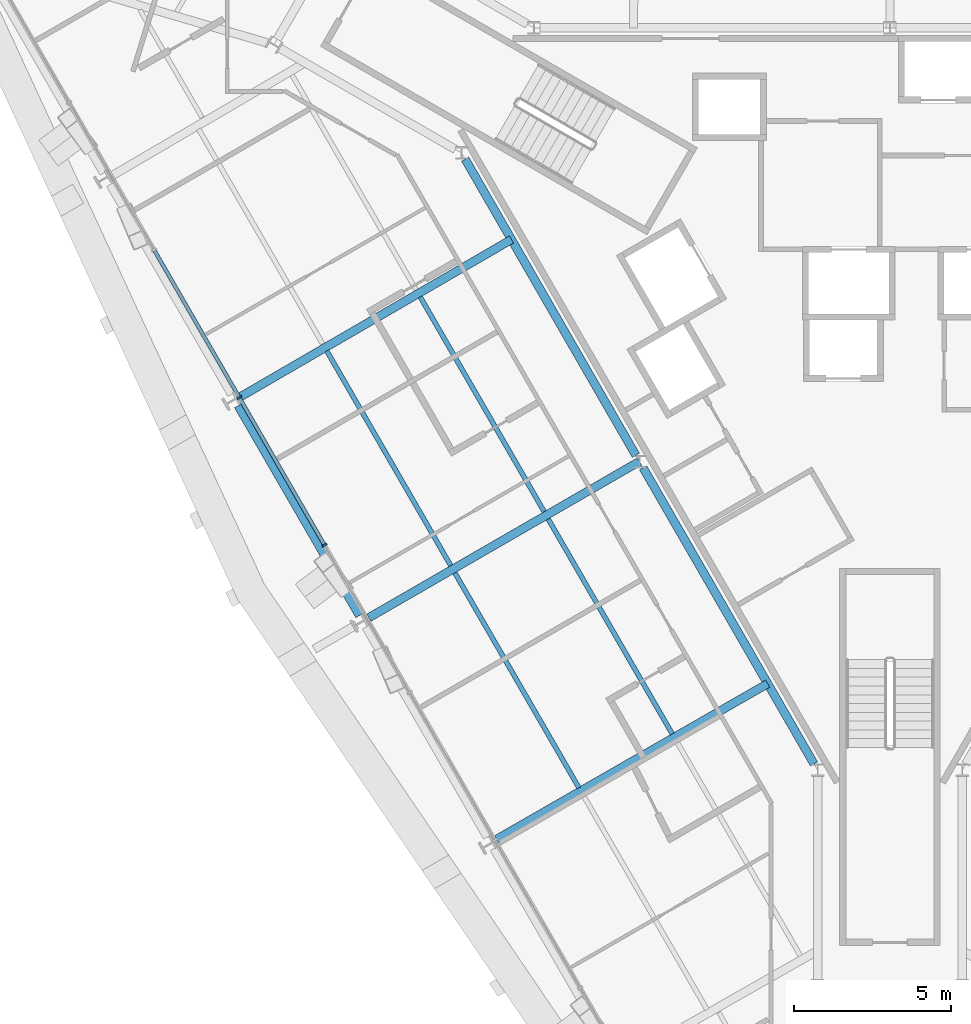
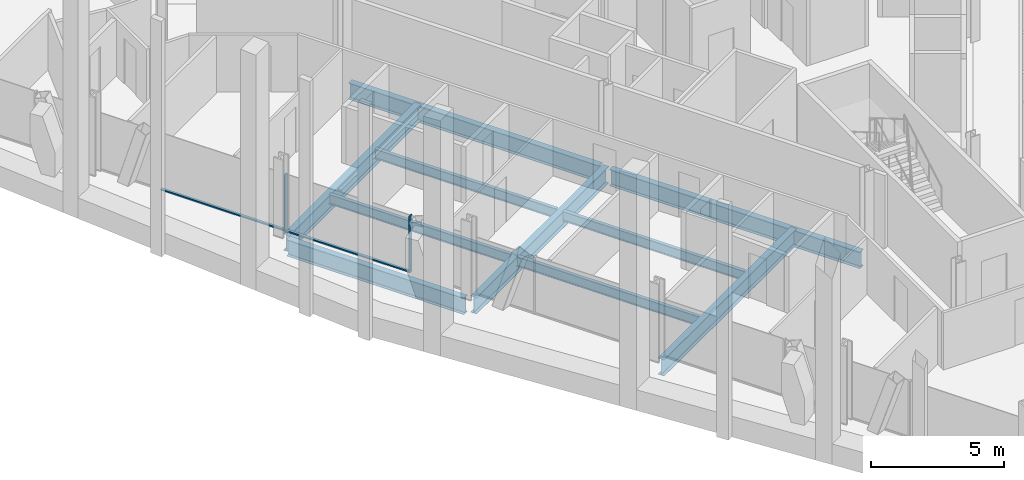
# One storey, part 4 of 19: 10 beams, 4 members, 1 element without a shape of its own.
"""IFC4 building model written with IfcOpenShell, lengths in metres."""

from ifc_helpers import new_model, si_unit, direction, frame, origin, origin_2d, place, context, subcontext, project, spatial, rectangle, i_section, extrude, material, material_profile, profile_set, type_object, element, aggregate, save


model = new_model("IFC4")

# Units and contexts
model_context = context("Model", 3, precision=1e-05, world=origin(), true_north=direction((0.0, 1.0)))
body_context = subcontext(model_context, "Body", "Model", "MODEL_VIEW")
ifc_project = project(units=[si_unit("LENGTHUNIT", "METRE"), si_unit("AREAUNIT", "SQUARE_METRE"), si_unit("VOLUMEUNIT", "CUBIC_METRE"), si_unit("PLANEANGLEUNIT", "RADIAN"), si_unit("MASSUNIT", "GRAM", prefix="KILO")], contexts=[model_context])

# Site, building, storey
site_placement = place(None, origin())
site = spatial("IfcSite", under=ifc_project, at=site_placement, CompositionType="ELEMENT")
building_placement = place(site_placement, origin())
building = spatial("IfcBuilding", under=site, at=building_placement, Name="Verrane Prism Tower", CompositionType="ELEMENT")
storey_placement = place(building_placement, frame((0.0, 0.0, 121.60009765625)))
storey = spatial("IfcBuildingStorey", under=building, at=storey_placement, Name="L29", CompositionType="ELEMENT", Elevation=121.60009765625)

# Beams
ifc_material_1 = material(Name="Steel A992", Category="steel")
ifc_material_profile_1 = material_profile(ifc_material_1, i_section(OverallWidth=0.2666015625, OverallDepth=0.7568359375, WebThickness=0.013916015625, FlangeThickness=0.019287109375, FilletRadius=0.0166015625, at=origin_2d()), Name="W30x108")
ifc_profile_set_1 = profile_set([ifc_material_profile_1], Name="Steel A992")
beam_type_1 = type_object("IfcBeamType", Name="Core ring girder W30x108", PredefinedType="BEAM", material=ifc_profile_set_1)
beam_1_placement = place(storey_placement, frame((-13.51513671875, 5.0205078125, -0.628662109375), z_axis=(0.4993706109, -0.866388476937, 0.0), x_axis=(0.866388476937, 0.4993706109, 0.0)))
element("IfcBeam", 1, at=beam_1_placement, inside=storey, type_object=beam_type_1, Name="Core ring girder L29", PredefinedType="BEAM", context=body_context, shape_type="SweptSolid", body=[
    extrude(i_section(OverallWidth=0.2666015625, OverallDepth=0.7568359375, WebThickness=0.013916015625, FlangeThickness=0.019287109375, FilletRadius=0.0166015625, at=origin_2d()), origin(), (0.0, 0.0, 1.0), 10.8740234375),
])
beam_2_placement = place(storey_placement, frame((-7.85498046875, -4.79931640625, -0.628662109375), z_axis=(0.500034555306, -0.86600545235, 0.0), x_axis=(0.86600545235, 0.500034555306, 0.0)))
element("IfcBeam", 2, at=beam_2_placement, inside=storey, type_object=beam_type_1, Name="Core ring girder L29", PredefinedType="BEAM", context=body_context, shape_type="SweptSolid", body=[
    extrude(i_section(OverallWidth=0.2666015625, OverallDepth=0.7568359375, WebThickness=0.013916015625, FlangeThickness=0.019287109375, FilletRadius=0.0166015625, at=origin_2d()), origin(), (0.0, 0.0, 1.0), 10.879150390625),
])
ifc_material_2 = material(Name="Steel A992", Category="steel")
ifc_material_profile_2 = material_profile(ifc_material_2, i_section(OverallWidth=0.15234375, OverallDepth=0.449462890625, WebThickness=0.007568359375, FlangeThickness=0.0107421875, FilletRadius=0.01025390625, at=origin_2d()), Name="W18x35")
ifc_profile_set_2 = profile_set([ifc_material_profile_2], Name="Steel A992")
beam_type_2 = type_object("IfcBeamType", Name="Floor beam W18x35", PredefinedType="BEAM", material=ifc_profile_set_2)
beam_3_placement = place(storey_placement, frame((-11.001708984375, -6.19482421875, -0.385009765625), z_axis=(-0.50000639086, 0.866021713988, 0.0), x_axis=(-0.866021713988, -0.50000639086, 0.0)))
element("IfcBeam", 3, at=beam_3_placement, inside=storey, type_object=beam_type_2, Name="Floor beam L29", PredefinedType="BEAM", context=body_context, shape_type="SweptSolid", body=[
    extrude(i_section(OverallWidth=0.15234375, OverallDepth=0.449462890625, WebThickness=0.007568359375, FlangeThickness=0.0107421875, FilletRadius=0.01025390625, at=origin_2d()), origin(), (0.0, 0.0, 1.0), 7.8896484375),
])
beam_4_placement = place(storey_placement, frame((-13.9755859375, -7.910400390625, -0.385009765625), z_axis=(-0.500013573458, 0.866017567003, 0.0), x_axis=(-0.866017567003, -0.500013573458, 0.0)))
element("IfcBeam", 4, at=beam_4_placement, inside=storey, type_object=beam_type_2, Name="Floor beam L29", PredefinedType="BEAM", context=body_context, shape_type="SweptSolid", body=[
    extrude(i_section(OverallWidth=0.15234375, OverallDepth=0.449462890625, WebThickness=0.007568359375, FlangeThickness=0.0107421875, FilletRadius=0.01025390625, at=origin_2d()), origin(), (0.0, 0.0, 1.0), 7.888427734375),
])
for number, where, z_axis, x_axis, name in (
    (5, (-6.92578125, -13.26708984375, -0.385009765625), (-0.500013303288, 0.866017722991, 0.0), (-0.866017722991, -0.500013303288, 0.0), "Floor beam L29"),
    (6, (-9.896240234375, -14.980712890625, -0.385009765625), (-0.500013303288, 0.866017722991, 0.0), (-0.866017722991, -0.500013303288, 0.0), "Floor beam L29"),
):
    element("IfcBeam", number, at=place(storey_placement, frame(where, z_axis=z_axis, x_axis=x_axis)), inside=storey, type_object=beam_type_2, Name=name, PredefinedType="BEAM", context=body_context, shape_type="SweptSolid", body=[
        extrude(i_section(OverallWidth=0.15234375, OverallDepth=0.449462890625, WebThickness=0.007568359375, FlangeThickness=0.0107421875, FilletRadius=0.01025390625, at=origin_2d()), origin(), (0.0, 0.0, 1.0), 7.895751953125),
    ])

# Curtain wall, members
ifc_material_3 = material(Name="Aluminium framed insulated glazing", Category="aluminium")
curtain_wall_type = type_object("IfcCurtainWallType", Name="Curtain wall CW-B 5600 module", PredefinedType="NOTDEFINED", material=ifc_material_3)
curtain_wall_placement = place(storey_placement, origin())
curtain_wall = element("IfcCurtainWall", 7, at=curtain_wall_placement, inside=storey, type_object=curtain_wall_type, Name="Glazed curtain wall south-west face L29", PredefinedType="NOTDEFINED")
ifc_material_4 = material(Name="Aluminium alloy 6063-T6", Category="aluminium")
ifc_material_profile_3 = material_profile(ifc_material_4, rectangle(XDim=0.159912109375, YDim=0.06005859375, at=origin_2d()), Name="Mullion 60x160 aluminium")
ifc_profile_set_3 = profile_set([ifc_material_profile_3], Name="Aluminium alloy 6063-T6")
member_type_1 = type_object("IfcMemberType", Name="Mullion 60x160 aluminium", PredefinedType="MULLION", material=ifc_profile_set_3)
member_1_placement = place(storey_placement, frame((-20.70361328125, -2.562255859375, 0.0), z_axis=(0.0, 0.0, 1.0), x_axis=(0.866025327793, 0.500000131621, 0.0)))
member_1 = element("IfcMember", 8, at=member_1_placement, type_object=member_type_1, Name="CW29.4 mullion 4", PredefinedType="MULLION", context=body_context, shape_type="SweptSolid", body=[
    extrude(rectangle(XDim=0.159912109375, YDim=0.06005859375, at=origin_2d()), origin(), (0.0, 0.0, 1.0), 2.61279296875),
])
member_2_placement = place(storey_placement, frame((-17.99267578125, -7.2578125, 0.0), z_axis=(0.0, 0.0, 1.0), x_axis=(0.866025327793, 0.500000131621, 0.0)))
member_2 = element("IfcMember", 9, at=member_2_placement, type_object=member_type_1, Name="CW29.4 mullion 5", PredefinedType="MULLION", context=body_context, shape_type="SweptSolid", body=[
    extrude(rectangle(XDim=0.159912109375, YDim=0.06005859375, at=origin_2d()), origin(), (0.0, 0.0, 1.0), 2.61279296875),
])

# Beams
ifc_material_5 = material(Name="Steel A992", Category="steel")
ifc_material_profile_4 = material_profile(ifc_material_5, i_section(OverallWidth=0.2666015625, OverallDepth=0.76708984375, WebThickness=0.014892578125, FlangeThickness=0.023681640625, FilletRadius=0.0166015625, at=origin_2d()), Name="W30x124")
ifc_profile_set_4 = profile_set([ifc_material_profile_4], Name="Steel A992")
beam_type_3 = type_object("IfcBeamType", Name="Radial girder W30x124", PredefinedType="BEAM", material=ifc_profile_set_4)
beam_5_placement = place(storey_placement, frame((-20.648193359375, -2.52685546875, -0.603515625), z_axis=(0.864855624195, 0.502020666206, 0.0), x_axis=(-0.502020666206, 0.864855624195, 0.0)))
element("IfcBeam", 10, at=beam_5_placement, inside=storey, type_object=beam_type_3, Name="Radial girder L29", PredefinedType="BEAM", context=body_context, shape_type="SweptSolid", body=[
    extrude(i_section(OverallWidth=0.2666015625, OverallDepth=0.76708984375, WebThickness=0.014892578125, FlangeThickness=0.023681640625, FilletRadius=0.0166015625, at=origin_2d()), origin(), (0.0, 0.0, 1.0), 9.948974609375),
])
beam_6_placement = place(storey_placement, frame((-16.579833984375, -9.56689453125, -0.603515625), z_axis=(0.86602320372, 0.500003810605, 0.0), x_axis=(-0.500003810605, 0.86602320372, 0.0)))
element("IfcBeam", 11, at=beam_6_placement, inside=storey, type_object=beam_type_3, Name="Radial girder L29", PredefinedType="BEAM", context=body_context, shape_type="SweptSolid", body=[
    extrude(i_section(OverallWidth=0.2666015625, OverallDepth=0.76708984375, WebThickness=0.014892578125, FlangeThickness=0.023681640625, FilletRadius=0.0166015625, at=origin_2d()), origin(), (0.0, 0.0, 1.0), 9.93994140625),
])
beam_7_placement = place(storey_placement, frame((-12.511474609375, -16.6171875, -0.603515625), z_axis=(0.867171206172, 0.498010139642, 0.0), x_axis=(-0.498010139642, 0.867171206172, 0.0)))
element("IfcBeam", 12, at=beam_7_placement, inside=storey, type_object=beam_type_3, Name="Radial girder L29", PredefinedType="BEAM", context=body_context, shape_type="SweptSolid", body=[
    extrude(i_section(OverallWidth=0.2666015625, OverallDepth=0.76708984375, WebThickness=0.014892578125, FlangeThickness=0.023681640625, FilletRadius=0.0166015625, at=origin_2d()), origin(), (0.0, 0.0, 1.0), 9.94189453125),
])
ifc_material_6 = material(Name="Steel A992", Category="steel")
ifc_material_profile_5 = material_profile(ifc_material_6, i_section(OverallWidth=0.2666015625, OverallDepth=0.7568359375, WebThickness=0.013916015625, FlangeThickness=0.019287109375, FilletRadius=0.0166015625, at=origin_2d()), Name="W30x108")
ifc_profile_set_5 = profile_set([ifc_material_profile_5], Name="Steel A992")
beam_type_4 = type_object("IfcBeamType", Name="Spandrel beam W30x108", PredefinedType="SPANDREL", material=ifc_profile_set_5)
beam_8_placement = place(storey_placement, frame((-20.739990234375, -2.822509765625, -0.53857421875), z_axis=(0.500347221437, -0.865824842563, 0.0), x_axis=(0.865824842563, 0.500347221437, 0.0)))
element("IfcBeam", 13, at=beam_8_placement, inside=storey, type_object=beam_type_4, Name="Spandrel beam L29", PredefinedType="SPANDREL", context=body_context, shape_type="SweptSolid", body=[
    extrude(i_section(OverallWidth=0.2666015625, OverallDepth=0.7568359375, WebThickness=0.013916015625, FlangeThickness=0.019287109375, FilletRadius=0.0166015625, at=origin_2d()), origin(), (0.0, 0.0, 1.0), 7.71142578125),
])

# Member
ifc_material_7 = material(Name="Aluminium alloy 6063-T6", Category="aluminium")
ifc_material_profile_6 = material_profile(ifc_material_7, rectangle(XDim=0.1201171875, YDim=0.06005859375, at=origin_2d()), Name="Transom 60x120 aluminium")
ifc_profile_set_6 = profile_set([ifc_material_profile_6], Name="Aluminium alloy 6063-T6")
member_type_2 = type_object("IfcMemberType", Name="Transom 60x120 aluminium", PredefinedType="USERDEFINED", material=ifc_profile_set_6)
member_3_placement = place(storey_placement, frame((-23.399658203125, 2.107177734375, 0.02978515625), z_axis=(0.500012814349, -0.86601800529, 0.0), x_axis=(0.86601800529, 0.500012814349, 0.0)))
member_3 = element("IfcMember", 14, at=member_3_placement, type_object=member_type_2, Name="CW29.4 transom 3", ObjectType="TRANSOM", PredefinedType="USERDEFINED", context=body_context, shape_type="SweptSolid", body=[
    extrude(rectangle(XDim=0.1201171875, YDim=0.06005859375, at=origin_2d()), origin(), (0.0, 0.0, 1.0), 5.361572265625),
])

member_4_placement = place(storey_placement, frame((-20.688720703125, -2.588134765625, 0.02978515625), z_axis=(0.500027246275, -0.866009672569, 0.0), x_axis=(0.866009672569, 0.500027246275, 0.0)))
member_4 = element("IfcMember", 15, at=member_4_placement, type_object=member_type_2, Name="CW29.4 transom 4", ObjectType="TRANSOM", PredefinedType="USERDEFINED", context=body_context, shape_type="SweptSolid", body=[
    extrude(rectangle(XDim=0.1201171875, YDim=0.06005859375, at=origin_2d()), origin(), (0.0, 0.0, 1.0), 5.362060546875),
])

aggregate(curtain_wall, [member_1, member_2, member_3, member_4])

save(model, "model.ifc")
